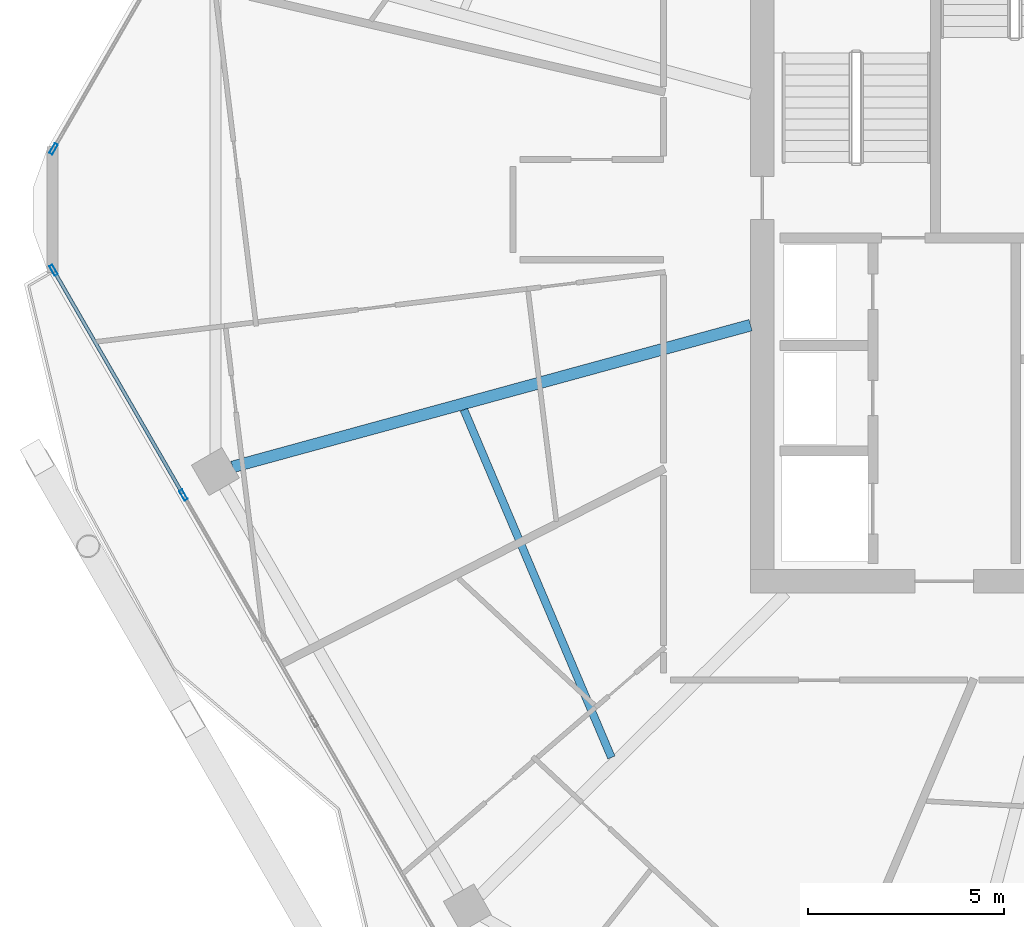
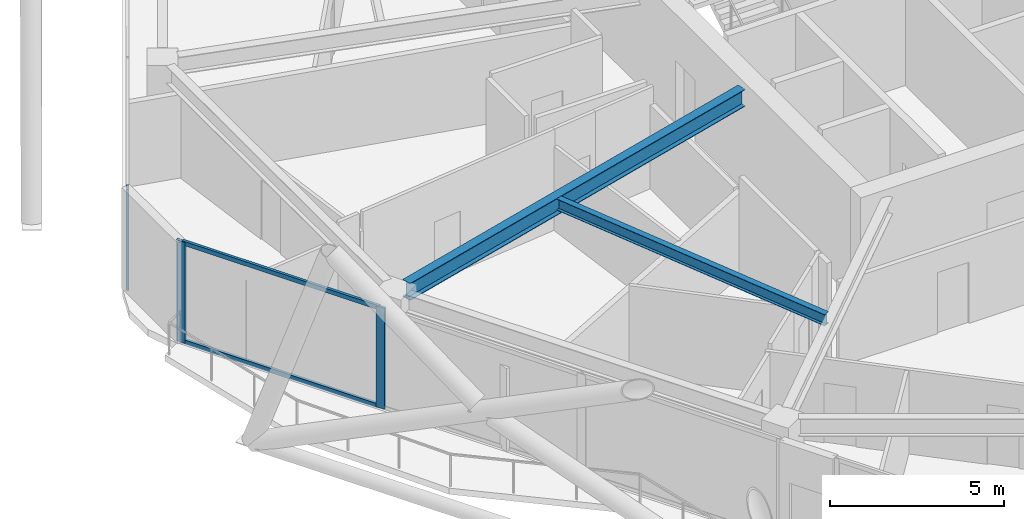
# One storey, part 6 of 27: 5 members, 2 beams, 2 elements without a shape of their own.
"""IFC4 building model written with IfcOpenShell, lengths in metres."""

from ifc_helpers import new_model, si_unit, direction, frame, origin, origin_2d, place, context, subcontext, project, spatial, hollow_rectangle, i_section, extrude, material, material_profile, profile_set, type_object, element, aggregate, save


model = new_model("IFC4")

# Units and contexts
model_context = context("Model", 3, precision=1e-05, world=origin(), true_north=direction((0.0, 1.0)))
body_context = subcontext(model_context, "Body", "Model", "MODEL_VIEW")
ifc_project = project(units=[si_unit("LENGTHUNIT", "METRE"), si_unit("AREAUNIT", "SQUARE_METRE"), si_unit("VOLUMEUNIT", "CUBIC_METRE"), si_unit("PLANEANGLEUNIT", "RADIAN"), si_unit("MASSUNIT", "GRAM", prefix="KILO")], contexts=[model_context])

# Site, building, storey
site_placement = place(None, origin())
site = spatial("IfcSite", under=ifc_project, at=site_placement, CompositionType="ELEMENT")
building_placement = place(site_placement, origin())
building = spatial("IfcBuilding", under=site, at=building_placement, Name="Zuhravey Tower", CompositionType="ELEMENT")
storey_placement = place(building_placement, frame((0.0, 0.0, 261.60009765625)))
storey = spatial("IfcBuildingStorey", under=building, at=storey_placement, Name="L66", CompositionType="ELEMENT", Elevation=261.60009765625)

# Curtain wall, members
ifc_material_1 = material(Name="Thermally broken anodised aluminium", Category="aluminium")
curtain_wall_type = type_object("IfcCurtainWallType", Name="Zone 3-4 High-Rise Curtain Wall CW4", PredefinedType="NOTDEFINED", material=ifc_material_1)
curtain_wall_1_placement = place(storey_placement, origin())
curtain_wall_1 = element("IfcCurtainWall", 1, at=curtain_wall_1_placement, inside=storey, type_object=curtain_wall_type, Name="L66 CW4 CW-L66-F4-2", PredefinedType="NOTDEFINED")
ifc_material_2 = material(Name="Anodised aluminium", Category="aluminium")
ifc_material_profile_1 = material_profile(ifc_material_2, hollow_rectangle(XDim=0.090087890625, YDim=0.284912109375, WallThickness=0.0048828125, at=origin_2d()), Name="ALU-RHS-90x285x5")
ifc_profile_set_1 = profile_set([ifc_material_profile_1], Name="Anodised aluminium")
member_type_1 = type_object("IfcMemberType", Name="Curtain-Wall Mullion 90x180", PredefinedType="MULLION", material=ifc_profile_set_1)
member_1_placement = place(storey_placement, frame((10.6953125, 24.70166015625, 0.0), z_axis=(0.0, 0.0, 1.0), x_axis=(-0.866025728555, -0.49999943748, 0.0)))
member_1 = element("IfcMember", 2, at=member_1_placement, type_object=member_type_1, Name="CW4 mullion 3", PredefinedType="MULLION", context=body_context, shape_type="SweptSolid", body=[
    extrude(hollow_rectangle(XDim=0.090087890625, YDim=0.284912109375, WallThickness=0.0048828125, at=origin_2d()), origin(), (0.0, 0.0, 1.0), 3.5498046875),
])
member_2_placement = place(storey_placement, frame((7.37744140625, 30.448486328125, 0.0), z_axis=(0.0, 0.0, 1.0), x_axis=(-0.866025728555, -0.49999943748, 0.0)))
member_2 = element("IfcMember", 3, at=member_2_placement, type_object=member_type_1, Name="CW4 mullion 4", PredefinedType="MULLION", context=body_context, shape_type="SweptSolid", body=[
    extrude(hollow_rectangle(XDim=0.090087890625, YDim=0.284912109375, WallThickness=0.0048828125, at=origin_2d()), origin(), (0.0, 0.0, 1.0), 3.5498046875),
])

# Curtain wall, member
curtain_wall_2_placement = place(storey_placement, origin())
curtain_wall_2 = element("IfcCurtainWall", 4, at=curtain_wall_2_placement, inside=storey, type_object=curtain_wall_type, Name="L66 CW4 CW-L66-F3-1", PredefinedType="NOTDEFINED")
member_3_placement = place(storey_placement, frame((7.37744140625, 33.551513671875, 0.0), z_axis=(0.0, 0.0, 1.0), x_axis=(-0.866024851021, 0.500000957414, 0.0)))
member_3 = element("IfcMember", 5, at=member_3_placement, type_object=member_type_1, Name="CW4 mullion 1", PredefinedType="MULLION", context=body_context, shape_type="SweptSolid", body=[
    extrude(hollow_rectangle(XDim=0.090087890625, YDim=0.284912109375, WallThickness=0.0048828125, at=origin_2d()), origin(), (0.0, 0.0, 1.0), 3.5498046875),
])
aggregate(curtain_wall_2, [member_3])

# Member
ifc_material_profile_2 = material_profile(ifc_material_2, hollow_rectangle(XDim=0.090087890625, YDim=0.14990234375, WallThickness=0.0048828125, at=origin_2d()), Name="ALU-RHS-90x150x5")
ifc_profile_set_2 = profile_set([ifc_material_profile_2], Name="Anodised aluminium")
member_type_2 = type_object("IfcMemberType", Name="Curtain-Wall Transom 90x150", PredefinedType="USERDEFINED", material=ifc_profile_set_2)
member_4_placement = place(storey_placement, frame((10.6728515625, 24.74072265625, 0.044921875), z_axis=(-0.499997951001, 0.866026586771, 0.0), x_axis=(-0.866026586771, -0.499997951001, 0.0)))
member_4 = element("IfcMember", 6, at=member_4_placement, type_object=member_type_2, Name="CW4 transom 3.1", ObjectType="TRANSOM", PredefinedType="USERDEFINED", context=body_context, shape_type="SweptSolid", body=[
    extrude(hollow_rectangle(XDim=0.090087890625, YDim=0.14990234375, WallThickness=0.0048828125, at=origin_2d()), origin(), (0.0, 0.0, 1.0), 6.5458984375),
])

member_5_placement = place(storey_placement, frame((10.6728515625, 24.74072265625, 3.5048828125), z_axis=(-0.499997951001, 0.866026586771, 0.0), x_axis=(-0.866026586771, -0.499997951001, 0.0)))
member_5 = element("IfcMember", 7, at=member_5_placement, type_object=member_type_2, Name="CW4 transom 3.2", ObjectType="TRANSOM", PredefinedType="USERDEFINED", context=body_context, shape_type="SweptSolid", body=[
    extrude(hollow_rectangle(XDim=0.090087890625, YDim=0.14990234375, WallThickness=0.0048828125, at=origin_2d()), origin(), (0.0, 0.0, 1.0), 6.5458984375),
])

aggregate(curtain_wall_1, [member_1, member_2, member_4, member_5])

# Beams
ifc_material_3 = material(Name="Steel SM355", Category="steel")
ifc_material_profile_3 = material_profile(ifc_material_3, i_section(OverallWidth=0.300048828125, OverallDepth=0.60009765625, WebThickness=0.011962890625, FlangeThickness=0.02001953125, at=origin_2d()), Name="H-600x300x12x20")
ifc_profile_set_3 = profile_set([ifc_material_profile_3], Name="Steel SM355")
beam_type_1 = type_object("IfcBeamType", Name="Radial Primary Girder H600x300", PredefinedType="BEAM", material=ifc_profile_set_3)
beam_1_placement = place(storey_placement, frame((25.197021484375, 29.04443359375, 3.25), z_axis=(-0.964548913045, -0.26390413855, 0.0), x_axis=(0.26390413855, -0.964548913045, 0.0)))
element("IfcBeam", 8, at=beam_1_placement, inside=storey, type_object=beam_type_1, Name="L66 RG3 BM-L66-RAD-07", PredefinedType="BEAM", context=body_context, shape_type="SweptSolid", body=[
    extrude(i_section(OverallWidth=0.300048828125, OverallDepth=0.60009765625, WebThickness=0.011962890625, FlangeThickness=0.02001953125, at=origin_2d()), origin(), (0.0, 0.0, 1.0), 13.7314453125),
])
ifc_material_profile_4 = material_profile(ifc_material_3, i_section(OverallWidth=0.199951171875, OverallDepth=0.39990234375, WebThickness=0.008056640625, FlangeThickness=0.012939453125, at=origin_2d()), Name="H-400x200x8x13")
ifc_profile_set_4 = profile_set([ifc_material_profile_4], Name="Steel SM355")
beam_type_2 = type_object("IfcBeamType", Name="Secondary Floor Joist H400x200", PredefinedType="JOIST", material=ifc_profile_set_4)
beam_2_placement = place(storey_placement, frame((17.869140625, 26.881103515625, 3.349853515625), z_axis=(0.390413493754, -0.920639616731, 0.0), x_axis=(0.920639616731, 0.390413493754, 0.0)))
element("IfcBeam", 9, at=beam_2_placement, inside=storey, type_object=beam_type_2, Name="L66 SJ2 BM-L66-SJ-07-1", PredefinedType="JOIST", context=body_context, shape_type="SweptSolid", body=[
    extrude(i_section(OverallWidth=0.199951171875, OverallDepth=0.39990234375, WebThickness=0.008056640625, FlangeThickness=0.012939453125, at=origin_2d()), origin(), (0.0, 0.0, 1.0), 9.656494140625),
])

save(model, "model.ifc")
